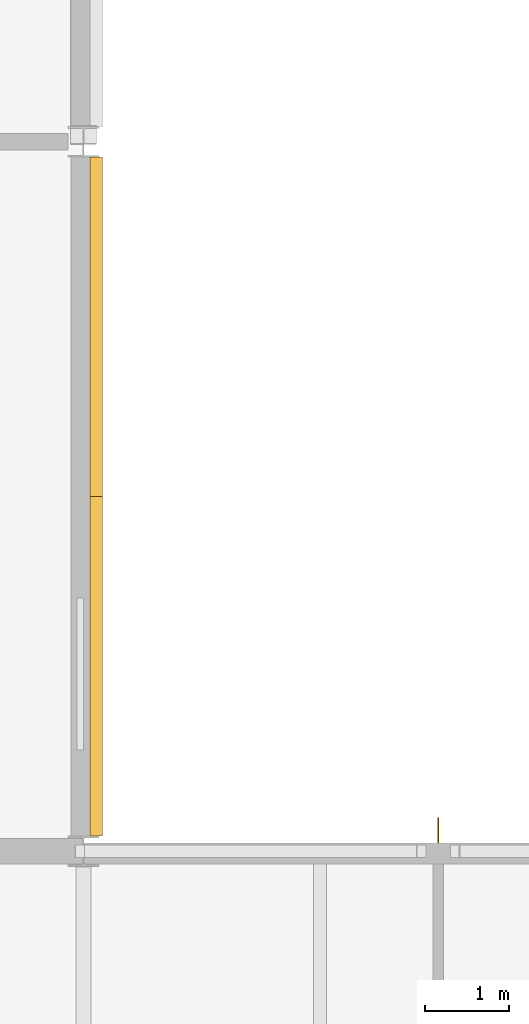
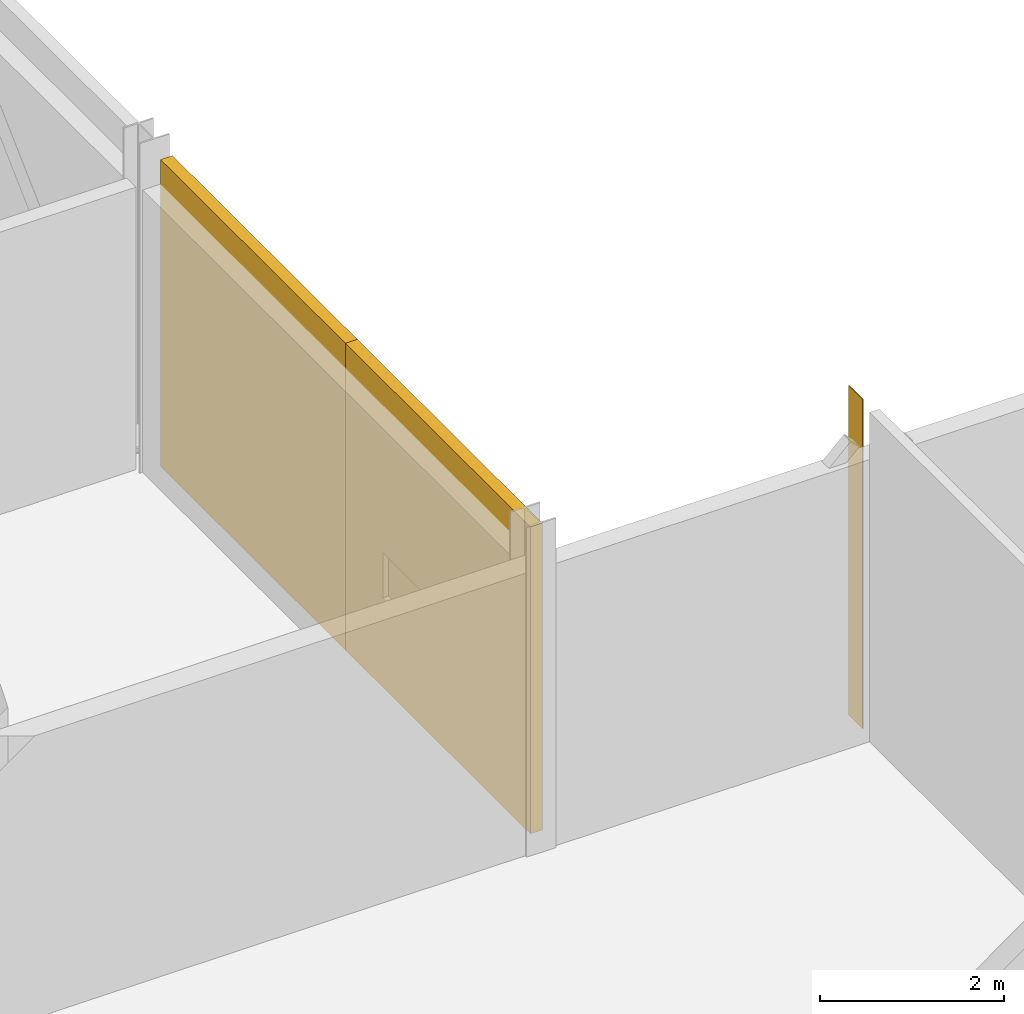
# One storey, part 61 of 72: 3 shading devices.
"""IFC4 building model written with IfcOpenShell, lengths in metres."""

from ifc_helpers import new_model, si_unit, direction, frame, origin, origin_2d, place, context, subcontext, project, spatial, rectangle, extrude, material, layer, layer_set, type_object, element, save


model = new_model("IFC4")

# Units and contexts
model_context = context("Model", 3, precision=1e-05, world=origin(), true_north=direction((0.0, 1.0)))
body_context = subcontext(model_context, "Body", "Model", "MODEL_VIEW")
ifc_project = project(units=[si_unit("LENGTHUNIT", "METRE"), si_unit("AREAUNIT", "SQUARE_METRE"), si_unit("VOLUMEUNIT", "CUBIC_METRE"), si_unit("PLANEANGLEUNIT", "RADIAN"), si_unit("MASSUNIT", "GRAM", prefix="KILO")], contexts=[model_context])

# Site, building, storey
site_placement = place(None, origin())
site = spatial("IfcSite", under=ifc_project, at=site_placement, CompositionType="ELEMENT")
building_placement = place(site_placement, origin())
building = spatial("IfcBuilding", under=site, at=building_placement, Name="Hlaing Beacon Police Headquarters", CompositionType="ELEMENT")
storey_placement = place(building_placement, frame((0.0, 0.0, 14.39990234375)))
storey = spatial("IfcBuildingStorey", under=building, at=storey_placement, Name="L03", CompositionType="ELEMENT", Elevation=14.39990234375)

# Shading devices
ifc_material_1 = material(Name="Aluminium 6063-T5 anodised", Category="aluminium")
ifc_layer_1 = layer(ifc_material_1, 0.011962890625)
ifc_layer_set_1 = layer_set([ifc_layer_1], Name="Aluminium 6063-T5 anodised")
shading_device_type_1 = type_object("IfcShadingDeviceType", Name="Aluminium fin 12x300", PredefinedType="JALOUSIE", material=ifc_layer_set_1)
shading_device_placement = place(storey_placement, frame((37.800048828125, 33.85009765625, 0.0), z_axis=(0.0, 0.0, 1.0), x_axis=(-1.0, 0.0, 0.0)))
element("IfcShadingDevice", 1, at=shading_device_placement, inside=storey, type_object=shading_device_type_1, Name="Fin L03 N007", PredefinedType="JALOUSIE", context=body_context, shape_type="SweptSolid", body=[
    extrude(rectangle(XDim=0.011962890625, YDim=0.300048828125, at=origin_2d()), origin(), (0.0, 0.0, 1.0), 4.3701171875),
])
ifc_material_2 = material(Name="Perforated aluminium", Category="aluminium")
ifc_layer_2 = layer(ifc_material_2, 0.14990234375)
ifc_layer_set_2 = layer_set([ifc_layer_2], Name="Perforated aluminium")
shading_device_type_2 = type_object("IfcShadingDeviceType", Name="Perforated screen panel 150", PredefinedType="JALOUSIE", material=ifc_layer_set_2)
for number, where, z_axis, x_axis, name in (
    (2, (33.75, 35.790771484375, 0.0), (0.0, 0.0, 1.0), (0.0, 1.0, 0.0), "Screen L03 E009"),
    (3, (33.75, 39.80908203125, 0.0), (0.0, 0.0, 1.0), (0.0, 1.0, 0.0), "Screen L03 E010"),
):
    element("IfcShadingDevice", number, at=place(storey_placement, frame(where, z_axis=z_axis, x_axis=x_axis)), inside=storey, type_object=shading_device_type_2, Name=name, PredefinedType="JALOUSIE", context=body_context, shape_type="SweptSolid", body=[
        extrude(rectangle(XDim=4.018310546875, YDim=0.14990234375, at=origin_2d()), origin(), (0.0, 0.0, 1.0), 4.070068359375),
    ])

save(model, "model.ifc")
